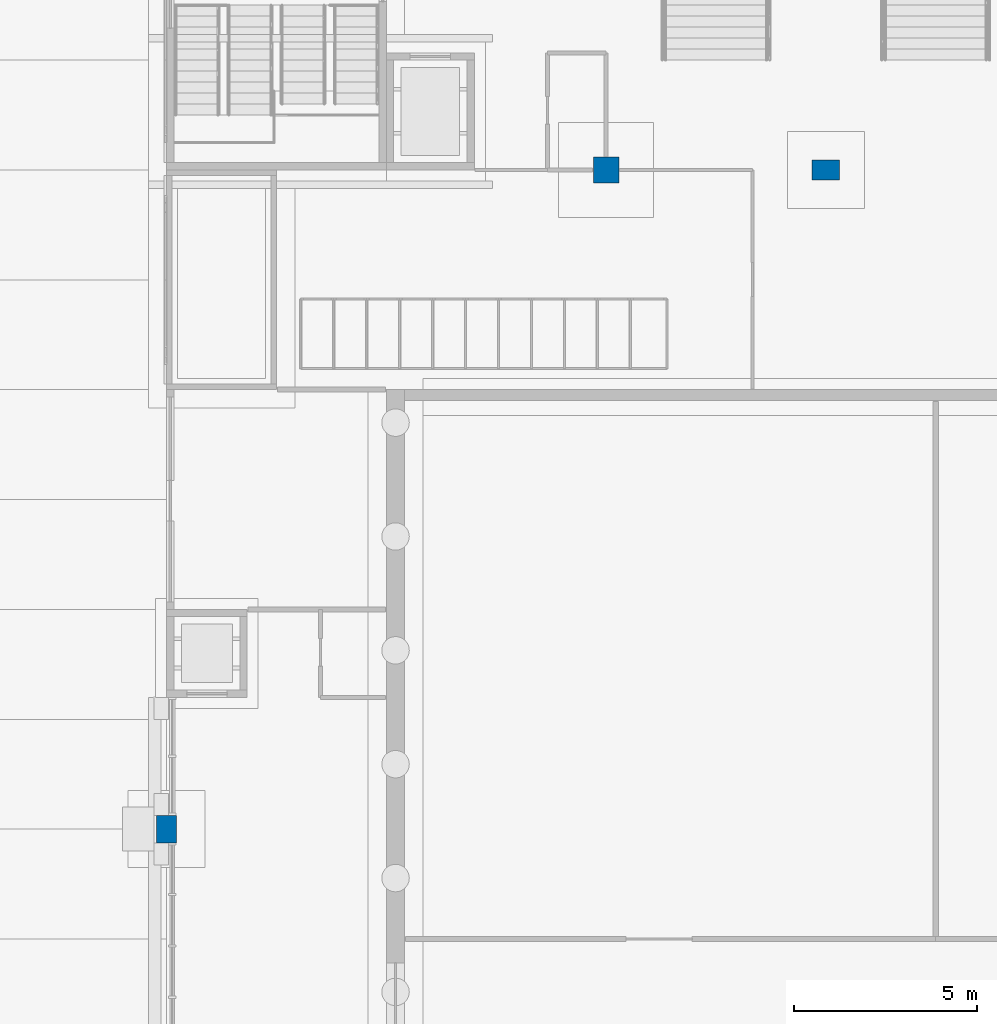
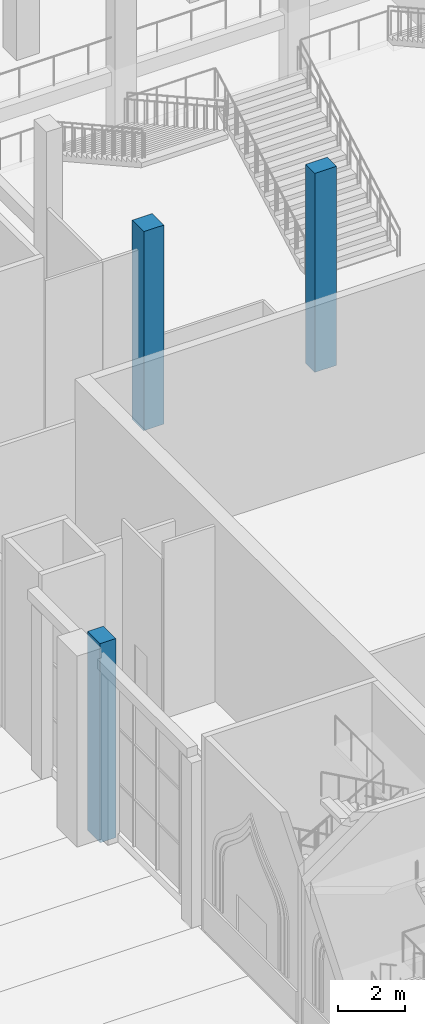
# One storey, part 12 of 95: 3 columns.
"""IFC4 building model written with IfcOpenShell, lengths in metres."""

from ifc_helpers import new_model, si_unit, direction, frame, origin, origin_2d, place, context, subcontext, project, spatial, rectangle, extrude, material, material_profile, profile_set, type_object, element, save


model = new_model("IFC4")

# Units and contexts
model_context = context("Model", 3, precision=1e-05, world=origin(), true_north=direction((0.0, 1.0)))
body_context = subcontext(model_context, "Body", "Model", "MODEL_VIEW")
ifc_project = project(units=[si_unit("LENGTHUNIT", "METRE"), si_unit("AREAUNIT", "SQUARE_METRE"), si_unit("VOLUMEUNIT", "CUBIC_METRE"), si_unit("PLANEANGLEUNIT", "RADIAN"), si_unit("MASSUNIT", "GRAM", prefix="KILO")], contexts=[model_context])

# Site, building, storey
site_placement = place(None, origin())
site = spatial("IfcSite", under=ifc_project, at=site_placement, CompositionType="ELEMENT")
building_placement = place(site_placement, origin())
building = spatial("IfcBuilding", under=site, at=building_placement, Name="Saffron Lane Theatres", CompositionType="ELEMENT")
storey_placement = place(building_placement, origin())
storey = spatial("IfcBuildingStorey", under=building, at=storey_placement, Name="L00", CompositionType="ELEMENT", Elevation=0.0)

# Columns
ifc_material_1 = material(Name="Concrete N50 (50 MPa)", Category="concrete")
ifc_material_profile_1 = material_profile(ifc_material_1, rectangle(XDim=0.550048828125, YDim=0.75, at=origin_2d()))
ifc_profile_set_1 = profile_set([ifc_material_profile_1], Name="Concrete N50 (50 MPa)")
column_type_1 = type_object("IfcColumnType", Name="RC-COL 550x750", PredefinedType="COLUMN", material=ifc_profile_set_1)
column_1_placement = place(storey_placement, frame((12.0, 78.0, -0.300048828125), z_axis=(0.0, 0.0, 1.0), x_axis=(1.0, 0.0, 0.0)))
element("IfcColumn", 1, at=column_1_placement, inside=storey, type_object=column_type_1, Name="col-L00-C14", PredefinedType="COLUMN", context=body_context, shape_type="SweptSolid", body=[
    extrude(rectangle(XDim=0.550048828125, YDim=0.75, at=origin_2d()), origin(), (0.0, 0.0, 1.0), 7.300048828125),
])
ifc_material_2 = material(Name="Concrete N50 (50 MPa)", Category="concrete")
ifc_material_profile_2 = material_profile(ifc_material_2, rectangle(XDim=0.699951171875, YDim=0.699951171875, at=origin_2d()))
ifc_profile_set_2 = profile_set([ifc_material_profile_2], Name="Concrete N50 (50 MPa)")
column_type_2 = type_object("IfcColumnType", Name="RC-COL 700x700", PredefinedType="COLUMN", material=ifc_profile_set_2)
column_2_placement = place(storey_placement, frame((24.0, 96.0, -0.300048828125), z_axis=(0.0, 0.0, 1.0), x_axis=(1.0, 0.0, 0.0)))
element("IfcColumn", 2, at=column_2_placement, inside=storey, type_object=column_type_2, Name="col-L00-E17", PredefinedType="COLUMN", context=body_context, shape_type="SweptSolid", body=[
    extrude(rectangle(XDim=0.699951171875, YDim=0.699951171875, at=origin_2d()), origin(), (0.0, 0.0, 1.0), 7.300048828125),
])
ifc_material_3 = material(Name="Concrete N50 (50 MPa)", Category="concrete")
ifc_material_profile_3 = material_profile(ifc_material_3, rectangle(XDim=0.75, YDim=0.550048828125, at=origin_2d()))
ifc_profile_set_3 = profile_set([ifc_material_profile_3], Name="Concrete N50 (50 MPa)")
column_type_3 = type_object("IfcColumnType", Name="RC-COL 750x550", PredefinedType="COLUMN", material=ifc_profile_set_3)
column_3_placement = place(storey_placement, frame((30.0, 96.0, -0.300048828125), z_axis=(0.0, 0.0, 1.0), x_axis=(1.0, 0.0, 0.0)))
element("IfcColumn", 3, at=column_3_placement, inside=storey, type_object=column_type_3, Name="col-L00-F17", PredefinedType="COLUMN", context=body_context, shape_type="SweptSolid", body=[
    extrude(rectangle(XDim=0.75, YDim=0.550048828125, at=origin_2d()), origin(), (0.0, 0.0, 1.0), 7.300048828125),
])

save(model, "model.ifc")
